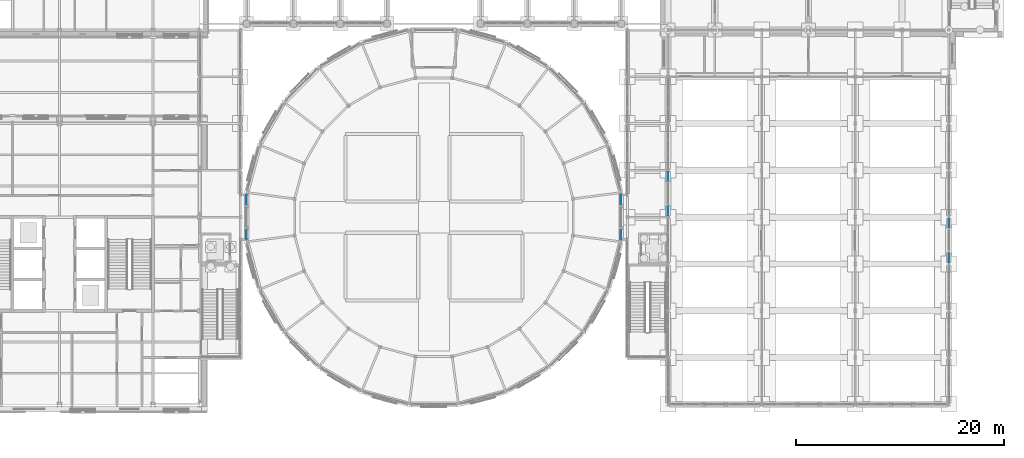
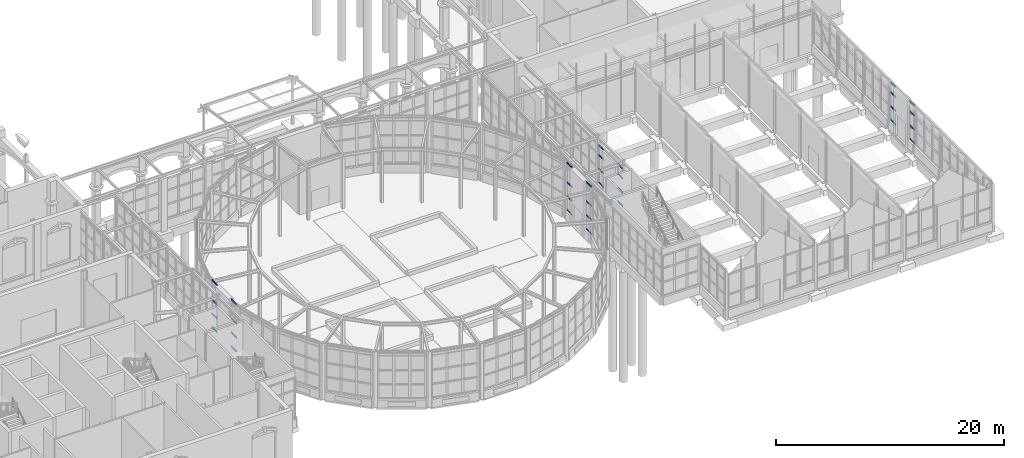
# One storey, part 55 of 106: 32 members, 8 elements without a shape of their own.
"""IFC4 building model written with IfcOpenShell, lengths in metres."""

from ifc_helpers import new_model, si_unit, direction, frame, origin, origin_2d, place, context, subcontext, project, spatial, rectangle, extrude, material, layer, layer_set, material_profile, profile_set, type_object, element, aggregate, save


model = new_model("IFC4")

# Units and contexts
model_context = context("Model", 3, precision=1e-05, world=origin(), true_north=direction((0.0, 1.0)))
body_context = subcontext(model_context, "Body", "Model", "MODEL_VIEW")
ifc_project = project(units=[si_unit("LENGTHUNIT", "METRE"), si_unit("AREAUNIT", "SQUARE_METRE"), si_unit("VOLUMEUNIT", "CUBIC_METRE"), si_unit("PLANEANGLEUNIT", "RADIAN"), si_unit("MASSUNIT", "GRAM", prefix="KILO")], contexts=[model_context])

# Site, building, storey
site_placement = place(None, origin())
site = spatial("IfcSite", under=ifc_project, at=site_placement, CompositionType="ELEMENT")
building_placement = place(site_placement, origin())
building = spatial("IfcBuilding", under=site, at=building_placement, Name="Hortulan Conservatory and Botanical Research Centre", CompositionType="ELEMENT")
storey_placement = place(building_placement, origin())
storey = spatial("IfcBuildingStorey", under=building, at=storey_placement, Name="L00", CompositionType="ELEMENT", Elevation=0.0)

# Curtain wall, members
ifc_material = material(Name="Bronze-finished aluminium", Category="aluminium")
ifc_layer = layer(ifc_material, 0.10009765625)
ifc_layer_set = layer_set([ifc_layer], Name="Bronze-framed Curtain Wall 1500 module")
curtain_wall_type = type_object("IfcCurtainWallType", Name="Bronze-framed Curtain Wall 1500 module", PredefinedType="NOTDEFINED", material=ifc_layer_set)
curtain_wall_1_placement = place(storey_placement, origin())
curtain_wall_1 = element("IfcCurtainWall", 1, at=curtain_wall_1_placement, inside=storey, type_object=curtain_wall_type, Name="Curtain wall", PredefinedType="NOTDEFINED")
ifc_material_profile = material_profile(ifc_material, rectangle(XDim=0.06005859375, YDim=0.14990234375, at=origin_2d()), Name="Bronze Transom 60x150")
ifc_profile_set = profile_set([ifc_material_profile], Name="Bronze-finished aluminium")
member_type = type_object("IfcMemberType", Name="Bronze Transom 60x150", PredefinedType="USERDEFINED", material=ifc_profile_set)
member_1_placement = place(storey_placement, frame((36.0, 15.864990234375, 0.929931640625), z_axis=(0.0, 1.0, 0.0), x_axis=(-1.0, 0.0, 0.0)))
member_1 = element("IfcMember", 2, at=member_1_placement, type_object=member_type, Name="CW1 transom 1.1", ObjectType="TRANSOM", PredefinedType="USERDEFINED", context=body_context, shape_type="SweptSolid", body=[
    extrude(rectangle(XDim=0.06005859375, YDim=0.14990234375, at=origin_2d()), origin(), (0.0, 0.0, 1.0), 0.875),
])
member_2_placement = place(storey_placement, frame((36.0, 15.864990234375, 2.39990234375), z_axis=(0.0, 1.0, 0.0), x_axis=(-1.0, 0.0, 0.0)))
member_2 = element("IfcMember", 3, at=member_2_placement, type_object=member_type, Name="CW1 transom 1.2", ObjectType="TRANSOM", PredefinedType="USERDEFINED", context=body_context, shape_type="SweptSolid", body=[
    extrude(rectangle(XDim=0.06005859375, YDim=0.14990234375, at=origin_2d()), origin(), (0.0, 0.0, 1.0), 0.875),
])
member_3_placement = place(storey_placement, frame((36.0, 15.864990234375, 3.89990234375), z_axis=(0.0, 1.0, 0.0), x_axis=(-1.0, 0.0, 0.0)))
member_3 = element("IfcMember", 4, at=member_3_placement, type_object=member_type, Name="CW1 transom 1.3", ObjectType="TRANSOM", PredefinedType="USERDEFINED", context=body_context, shape_type="SweptSolid", body=[
    extrude(rectangle(XDim=0.06005859375, YDim=0.14990234375, at=origin_2d()), origin(), (0.0, 0.0, 1.0), 0.875),
])
member_4_placement = place(storey_placement, frame((36.0, 15.864990234375, 5.969970703125), z_axis=(0.0, 1.0, 0.0), x_axis=(-1.0, 0.0, 0.0)))
member_4 = element("IfcMember", 5, at=member_4_placement, type_object=member_type, Name="CW1 transom 1.4", ObjectType="TRANSOM", PredefinedType="USERDEFINED", context=body_context, shape_type="SweptSolid", body=[
    extrude(rectangle(XDim=0.06005859375, YDim=0.14990234375, at=origin_2d()), origin(), (0.0, 0.0, 1.0), 0.875),
])
aggregate(curtain_wall_1, [member_1, member_2, member_3, member_4])

curtain_wall_2_placement = place(storey_placement, origin())
curtain_wall_2 = element("IfcCurtainWall", 6, at=curtain_wall_2_placement, inside=storey, type_object=curtain_wall_type, Name="Curtain wall", PredefinedType="NOTDEFINED")
member_5_placement = place(storey_placement, frame((36.0, 19.260009765625, 0.929931640625), z_axis=(0.0, 1.0, 0.0), x_axis=(-1.0, 0.0, 0.0)))
member_5 = element("IfcMember", 7, at=member_5_placement, type_object=member_type, Name="CW1 transom 1.1", ObjectType="TRANSOM", PredefinedType="USERDEFINED", context=body_context, shape_type="SweptSolid", body=[
    extrude(rectangle(XDim=0.06005859375, YDim=0.14990234375, at=origin_2d()), origin(), (0.0, 0.0, 1.0), 0.875),
])
member_6_placement = place(storey_placement, frame((36.0, 19.260009765625, 2.39990234375), z_axis=(0.0, 1.0, 0.0), x_axis=(-1.0, 0.0, 0.0)))
member_6 = element("IfcMember", 8, at=member_6_placement, type_object=member_type, Name="CW1 transom 1.2", ObjectType="TRANSOM", PredefinedType="USERDEFINED", context=body_context, shape_type="SweptSolid", body=[
    extrude(rectangle(XDim=0.06005859375, YDim=0.14990234375, at=origin_2d()), origin(), (0.0, 0.0, 1.0), 0.875),
])
member_7_placement = place(storey_placement, frame((36.0, 19.260009765625, 3.89990234375), z_axis=(0.0, 1.0, 0.0), x_axis=(-1.0, 0.0, 0.0)))
member_7 = element("IfcMember", 9, at=member_7_placement, type_object=member_type, Name="CW1 transom 1.3", ObjectType="TRANSOM", PredefinedType="USERDEFINED", context=body_context, shape_type="SweptSolid", body=[
    extrude(rectangle(XDim=0.06005859375, YDim=0.14990234375, at=origin_2d()), origin(), (0.0, 0.0, 1.0), 0.875),
])
member_8_placement = place(storey_placement, frame((36.0, 19.260009765625, 5.969970703125), z_axis=(0.0, 1.0, 0.0), x_axis=(-1.0, 0.0, 0.0)))
member_8 = element("IfcMember", 10, at=member_8_placement, type_object=member_type, Name="CW1 transom 1.4", ObjectType="TRANSOM", PredefinedType="USERDEFINED", context=body_context, shape_type="SweptSolid", body=[
    extrude(rectangle(XDim=0.06005859375, YDim=0.14990234375, at=origin_2d()), origin(), (0.0, 0.0, 1.0), 0.875),
])
aggregate(curtain_wall_2, [member_5, member_6, member_7, member_8])

curtain_wall_3_placement = place(storey_placement, origin())
curtain_wall_3 = element("IfcCurtainWall", 11, at=curtain_wall_3_placement, inside=storey, type_object=curtain_wall_type, Name="Curtain wall", PredefinedType="NOTDEFINED")
member_9_placement = place(storey_placement, frame((72.0, 20.135009765625, 0.929931640625), z_axis=(0.0, -1.0, 0.0), x_axis=(1.0, 0.0, 0.0)))
member_9 = element("IfcMember", 12, at=member_9_placement, type_object=member_type, Name="CW1 transom 1.1", ObjectType="TRANSOM", PredefinedType="USERDEFINED", context=body_context, shape_type="SweptSolid", body=[
    extrude(rectangle(XDim=0.06005859375, YDim=0.14990234375, at=origin_2d()), origin(), (0.0, 0.0, 1.0), 0.875),
])
member_10_placement = place(storey_placement, frame((72.0, 20.135009765625, 2.39990234375), z_axis=(0.0, -1.0, 0.0), x_axis=(1.0, 0.0, 0.0)))
member_10 = element("IfcMember", 13, at=member_10_placement, type_object=member_type, Name="CW1 transom 1.2", ObjectType="TRANSOM", PredefinedType="USERDEFINED", context=body_context, shape_type="SweptSolid", body=[
    extrude(rectangle(XDim=0.06005859375, YDim=0.14990234375, at=origin_2d()), origin(), (0.0, 0.0, 1.0), 0.875),
])
member_11_placement = place(storey_placement, frame((72.0, 20.135009765625, 3.89990234375), z_axis=(0.0, -1.0, 0.0), x_axis=(1.0, 0.0, 0.0)))
member_11 = element("IfcMember", 14, at=member_11_placement, type_object=member_type, Name="CW1 transom 1.3", ObjectType="TRANSOM", PredefinedType="USERDEFINED", context=body_context, shape_type="SweptSolid", body=[
    extrude(rectangle(XDim=0.06005859375, YDim=0.14990234375, at=origin_2d()), origin(), (0.0, 0.0, 1.0), 0.875),
])
member_12_placement = place(storey_placement, frame((72.0, 20.135009765625, 5.969970703125), z_axis=(0.0, -1.0, 0.0), x_axis=(1.0, 0.0, 0.0)))
member_12 = element("IfcMember", 15, at=member_12_placement, type_object=member_type, Name="CW1 transom 1.4", ObjectType="TRANSOM", PredefinedType="USERDEFINED", context=body_context, shape_type="SweptSolid", body=[
    extrude(rectangle(XDim=0.06005859375, YDim=0.14990234375, at=origin_2d()), origin(), (0.0, 0.0, 1.0), 0.875),
])
aggregate(curtain_wall_3, [member_9, member_10, member_11, member_12])

curtain_wall_4_placement = place(storey_placement, origin())
curtain_wall_4 = element("IfcCurtainWall", 16, at=curtain_wall_4_placement, inside=storey, type_object=curtain_wall_type, Name="Curtain wall", PredefinedType="NOTDEFINED")
member_13_placement = place(storey_placement, frame((72.0, 16.739990234375, 0.929931640625), z_axis=(0.0, -1.0, 0.0), x_axis=(1.0, 0.0, 0.0)))
member_13 = element("IfcMember", 17, at=member_13_placement, type_object=member_type, Name="CW1 transom 1.1", ObjectType="TRANSOM", PredefinedType="USERDEFINED", context=body_context, shape_type="SweptSolid", body=[
    extrude(rectangle(XDim=0.06005859375, YDim=0.14990234375, at=origin_2d()), origin(), (0.0, 0.0, 1.0), 0.875),
])
member_14_placement = place(storey_placement, frame((72.0, 16.739990234375, 2.39990234375), z_axis=(0.0, -1.0, 0.0), x_axis=(1.0, 0.0, 0.0)))
member_14 = element("IfcMember", 18, at=member_14_placement, type_object=member_type, Name="CW1 transom 1.2", ObjectType="TRANSOM", PredefinedType="USERDEFINED", context=body_context, shape_type="SweptSolid", body=[
    extrude(rectangle(XDim=0.06005859375, YDim=0.14990234375, at=origin_2d()), origin(), (0.0, 0.0, 1.0), 0.875),
])
member_15_placement = place(storey_placement, frame((72.0, 16.739990234375, 3.89990234375), z_axis=(0.0, -1.0, 0.0), x_axis=(1.0, 0.0, 0.0)))
member_15 = element("IfcMember", 19, at=member_15_placement, type_object=member_type, Name="CW1 transom 1.3", ObjectType="TRANSOM", PredefinedType="USERDEFINED", context=body_context, shape_type="SweptSolid", body=[
    extrude(rectangle(XDim=0.06005859375, YDim=0.14990234375, at=origin_2d()), origin(), (0.0, 0.0, 1.0), 0.875),
])
member_16_placement = place(storey_placement, frame((72.0, 16.739990234375, 5.969970703125), z_axis=(0.0, -1.0, 0.0), x_axis=(1.0, 0.0, 0.0)))
member_16 = element("IfcMember", 20, at=member_16_placement, type_object=member_type, Name="CW1 transom 1.4", ObjectType="TRANSOM", PredefinedType="USERDEFINED", context=body_context, shape_type="SweptSolid", body=[
    extrude(rectangle(XDim=0.06005859375, YDim=0.14990234375, at=origin_2d()), origin(), (0.0, 0.0, 1.0), 0.875),
])
aggregate(curtain_wall_4, [member_13, member_14, member_15, member_16])

curtain_wall_5_placement = place(storey_placement, origin())
curtain_wall_5 = element("IfcCurtainWall", 21, at=curtain_wall_5_placement, inside=storey, type_object=curtain_wall_type, Name="Curtain wall", PredefinedType="NOTDEFINED")
member_17_placement = place(storey_placement, frame((76.5, 22.31494140625, 0.929931640625), z_axis=(0.0, -1.0, 0.0), x_axis=(1.0, 0.0, 0.0)))
member_17 = element("IfcMember", 22, at=member_17_placement, type_object=member_type, Name="CW1 transom 1.1", ObjectType="TRANSOM", PredefinedType="USERDEFINED", context=body_context, shape_type="SweptSolid", body=[
    extrude(rectangle(XDim=0.06005859375, YDim=0.14990234375, at=origin_2d()), origin(), (0.0, 0.0, 1.0), 0.804931640625),
])
member_18_placement = place(storey_placement, frame((76.5, 22.31494140625, 2.39990234375), z_axis=(0.0, -1.0, 0.0), x_axis=(1.0, 0.0, 0.0)))
member_18 = element("IfcMember", 23, at=member_18_placement, type_object=member_type, Name="CW1 transom 1.2", ObjectType="TRANSOM", PredefinedType="USERDEFINED", context=body_context, shape_type="SweptSolid", body=[
    extrude(rectangle(XDim=0.06005859375, YDim=0.14990234375, at=origin_2d()), origin(), (0.0, 0.0, 1.0), 0.804931640625),
])
member_19_placement = place(storey_placement, frame((76.5, 22.31494140625, 3.89990234375), z_axis=(0.0, -1.0, 0.0), x_axis=(1.0, 0.0, 0.0)))
member_19 = element("IfcMember", 24, at=member_19_placement, type_object=member_type, Name="CW1 transom 1.3", ObjectType="TRANSOM", PredefinedType="USERDEFINED", context=body_context, shape_type="SweptSolid", body=[
    extrude(rectangle(XDim=0.06005859375, YDim=0.14990234375, at=origin_2d()), origin(), (0.0, 0.0, 1.0), 0.804931640625),
])
member_20_placement = place(storey_placement, frame((76.5, 22.31494140625, 4.969970703125), z_axis=(0.0, -1.0, 0.0), x_axis=(1.0, 0.0, 0.0)))
member_20 = element("IfcMember", 25, at=member_20_placement, type_object=member_type, Name="CW1 transom 1.4", ObjectType="TRANSOM", PredefinedType="USERDEFINED", context=body_context, shape_type="SweptSolid", body=[
    extrude(rectangle(XDim=0.06005859375, YDim=0.14990234375, at=origin_2d()), origin(), (0.0, 0.0, 1.0), 0.804931640625),
])
aggregate(curtain_wall_5, [member_17, member_18, member_19, member_20])

curtain_wall_6_placement = place(storey_placement, origin())
curtain_wall_6 = element("IfcCurtainWall", 26, at=curtain_wall_6_placement, inside=storey, type_object=curtain_wall_type, Name="Curtain wall", PredefinedType="NOTDEFINED")
member_21_placement = place(storey_placement, frame((76.5, 18.989990234375, 0.929931640625), z_axis=(0.0, -1.0, 0.0), x_axis=(1.0, 0.0, 0.0)))
member_21 = element("IfcMember", 27, at=member_21_placement, type_object=member_type, Name="CW1 transom 1.1", ObjectType="TRANSOM", PredefinedType="USERDEFINED", context=body_context, shape_type="SweptSolid", body=[
    extrude(rectangle(XDim=0.06005859375, YDim=0.14990234375, at=origin_2d()), origin(), (0.0, 0.0, 1.0), 0.804931640625),
])
member_22_placement = place(storey_placement, frame((76.5, 18.989990234375, 2.39990234375), z_axis=(0.0, -1.0, 0.0), x_axis=(1.0, 0.0, 0.0)))
member_22 = element("IfcMember", 28, at=member_22_placement, type_object=member_type, Name="CW1 transom 1.2", ObjectType="TRANSOM", PredefinedType="USERDEFINED", context=body_context, shape_type="SweptSolid", body=[
    extrude(rectangle(XDim=0.06005859375, YDim=0.14990234375, at=origin_2d()), origin(), (0.0, 0.0, 1.0), 0.804931640625),
])
member_23_placement = place(storey_placement, frame((76.5, 18.989990234375, 3.89990234375), z_axis=(0.0, -1.0, 0.0), x_axis=(1.0, 0.0, 0.0)))
member_23 = element("IfcMember", 29, at=member_23_placement, type_object=member_type, Name="CW1 transom 1.3", ObjectType="TRANSOM", PredefinedType="USERDEFINED", context=body_context, shape_type="SweptSolid", body=[
    extrude(rectangle(XDim=0.06005859375, YDim=0.14990234375, at=origin_2d()), origin(), (0.0, 0.0, 1.0), 0.804931640625),
])
member_24_placement = place(storey_placement, frame((76.5, 18.989990234375, 4.969970703125), z_axis=(0.0, -1.0, 0.0), x_axis=(1.0, 0.0, 0.0)))
member_24 = element("IfcMember", 30, at=member_24_placement, type_object=member_type, Name="CW1 transom 1.4", ObjectType="TRANSOM", PredefinedType="USERDEFINED", context=body_context, shape_type="SweptSolid", body=[
    extrude(rectangle(XDim=0.06005859375, YDim=0.14990234375, at=origin_2d()), origin(), (0.0, 0.0, 1.0), 0.804931640625),
])
aggregate(curtain_wall_6, [member_21, member_22, member_23, member_24])

curtain_wall_7_placement = place(storey_placement, origin())
curtain_wall_7 = element("IfcCurtainWall", 31, at=curtain_wall_7_placement, inside=storey, type_object=curtain_wall_type, Name="Curtain wall", PredefinedType="NOTDEFINED")
member_25_placement = place(storey_placement, frame((103.5, 13.68701171875, 0.929931640625), z_axis=(0.0, 1.0, 0.0), x_axis=(-1.0, 0.0, 0.0)))
member_25 = element("IfcMember", 32, at=member_25_placement, type_object=member_type, Name="CW1 transom 1.1", ObjectType="TRANSOM", PredefinedType="USERDEFINED", context=body_context, shape_type="SweptSolid", body=[
    extrude(rectangle(XDim=0.06005859375, YDim=0.14990234375, at=origin_2d()), origin(), (0.0, 0.0, 1.0), 0.802978515625),
])
member_26_placement = place(storey_placement, frame((103.5, 13.68701171875, 2.39990234375), z_axis=(0.0, 1.0, 0.0), x_axis=(-1.0, 0.0, 0.0)))
member_26 = element("IfcMember", 33, at=member_26_placement, type_object=member_type, Name="CW1 transom 1.2", ObjectType="TRANSOM", PredefinedType="USERDEFINED", context=body_context, shape_type="SweptSolid", body=[
    extrude(rectangle(XDim=0.06005859375, YDim=0.14990234375, at=origin_2d()), origin(), (0.0, 0.0, 1.0), 0.802978515625),
])
member_27_placement = place(storey_placement, frame((103.5, 13.68701171875, 3.89990234375), z_axis=(0.0, 1.0, 0.0), x_axis=(-1.0, 0.0, 0.0)))
member_27 = element("IfcMember", 34, at=member_27_placement, type_object=member_type, Name="CW1 transom 1.3", ObjectType="TRANSOM", PredefinedType="USERDEFINED", context=body_context, shape_type="SweptSolid", body=[
    extrude(rectangle(XDim=0.06005859375, YDim=0.14990234375, at=origin_2d()), origin(), (0.0, 0.0, 1.0), 0.802978515625),
])
member_28_placement = place(storey_placement, frame((103.5, 13.68701171875, 4.969970703125), z_axis=(0.0, 1.0, 0.0), x_axis=(-1.0, 0.0, 0.0)))
member_28 = element("IfcMember", 35, at=member_28_placement, type_object=member_type, Name="CW1 transom 1.4", ObjectType="TRANSOM", PredefinedType="USERDEFINED", context=body_context, shape_type="SweptSolid", body=[
    extrude(rectangle(XDim=0.06005859375, YDim=0.14990234375, at=origin_2d()), origin(), (0.0, 0.0, 1.0), 0.802978515625),
])
aggregate(curtain_wall_7, [member_25, member_26, member_27, member_28])

curtain_wall_8_placement = place(storey_placement, origin())
curtain_wall_8 = element("IfcCurtainWall", 36, at=curtain_wall_8_placement, inside=storey, type_object=curtain_wall_type, Name="Curtain wall", PredefinedType="NOTDEFINED")
member_29_placement = place(storey_placement, frame((103.5, 17.010009765625, 0.929931640625), z_axis=(0.0, 1.0, 0.0), x_axis=(-1.0, 0.0, 0.0)))
member_29 = element("IfcMember", 37, at=member_29_placement, type_object=member_type, Name="CW1 transom 1.1", ObjectType="TRANSOM", PredefinedType="USERDEFINED", context=body_context, shape_type="SweptSolid", body=[
    extrude(rectangle(XDim=0.06005859375, YDim=0.14990234375, at=origin_2d()), origin(), (0.0, 0.0, 1.0), 0.802978515625),
])
member_30_placement = place(storey_placement, frame((103.5, 17.010009765625, 2.39990234375), z_axis=(0.0, 1.0, 0.0), x_axis=(-1.0, 0.0, 0.0)))
member_30 = element("IfcMember", 38, at=member_30_placement, type_object=member_type, Name="CW1 transom 1.2", ObjectType="TRANSOM", PredefinedType="USERDEFINED", context=body_context, shape_type="SweptSolid", body=[
    extrude(rectangle(XDim=0.06005859375, YDim=0.14990234375, at=origin_2d()), origin(), (0.0, 0.0, 1.0), 0.802978515625),
])
member_31_placement = place(storey_placement, frame((103.5, 17.010009765625, 3.89990234375), z_axis=(0.0, 1.0, 0.0), x_axis=(-1.0, 0.0, 0.0)))
member_31 = element("IfcMember", 39, at=member_31_placement, type_object=member_type, Name="CW1 transom 1.3", ObjectType="TRANSOM", PredefinedType="USERDEFINED", context=body_context, shape_type="SweptSolid", body=[
    extrude(rectangle(XDim=0.06005859375, YDim=0.14990234375, at=origin_2d()), origin(), (0.0, 0.0, 1.0), 0.802978515625),
])
member_32_placement = place(storey_placement, frame((103.5, 17.010009765625, 4.969970703125), z_axis=(0.0, 1.0, 0.0), x_axis=(-1.0, 0.0, 0.0)))
member_32 = element("IfcMember", 40, at=member_32_placement, type_object=member_type, Name="CW1 transom 1.4", ObjectType="TRANSOM", PredefinedType="USERDEFINED", context=body_context, shape_type="SweptSolid", body=[
    extrude(rectangle(XDim=0.06005859375, YDim=0.14990234375, at=origin_2d()), origin(), (0.0, 0.0, 1.0), 0.802978515625),
])
aggregate(curtain_wall_8, [member_29, member_30, member_31, member_32])

save(model, "model.ifc")
